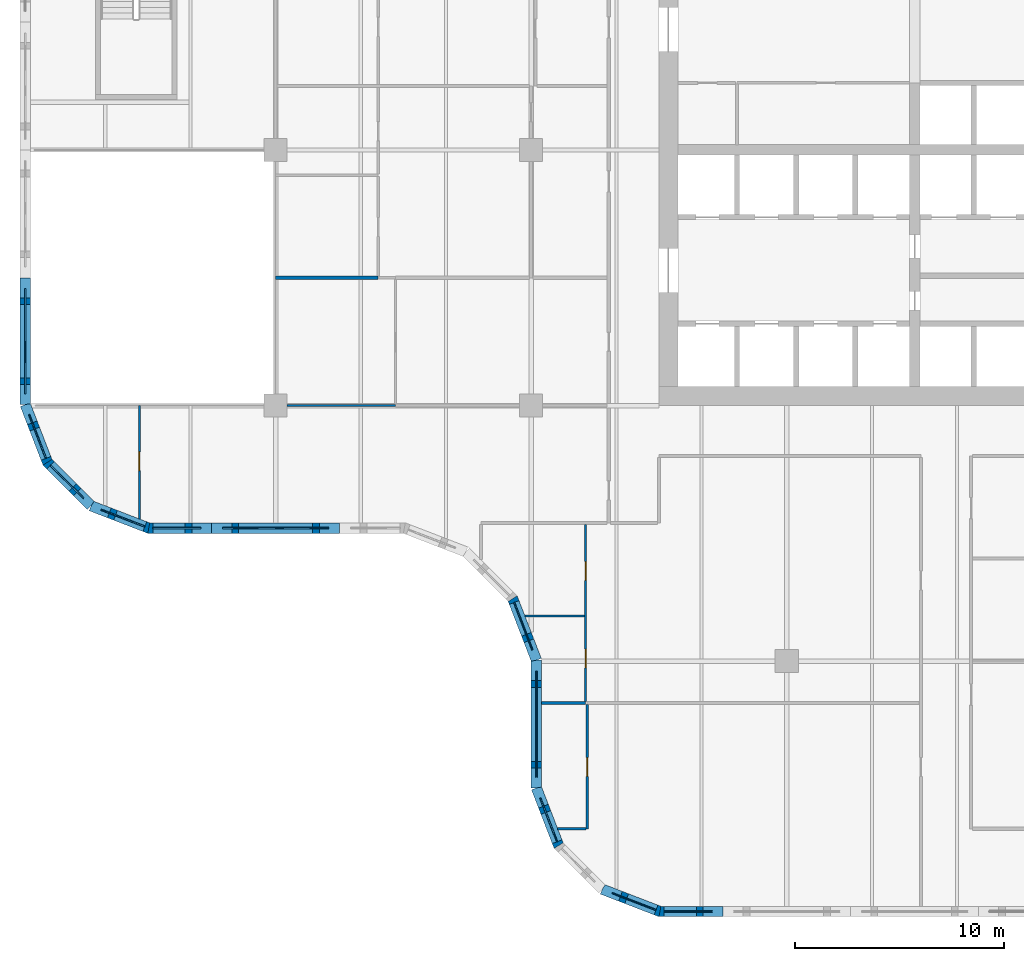
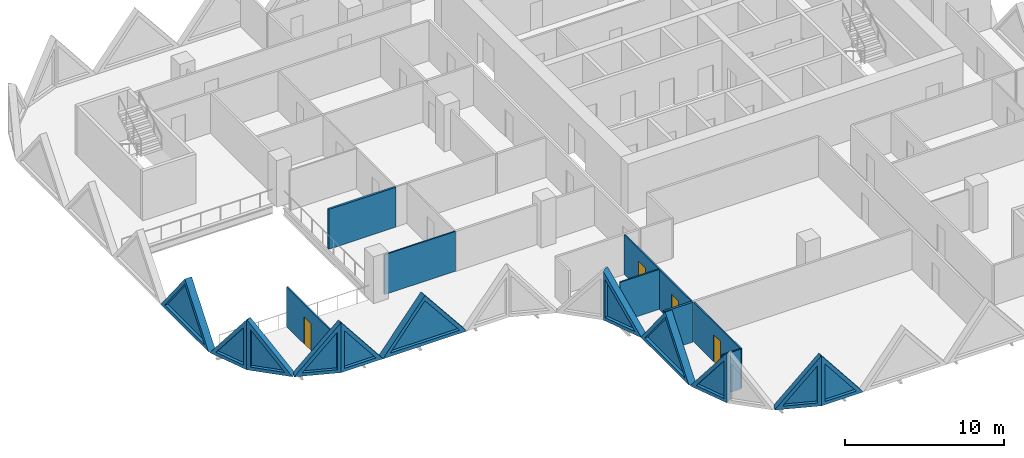
# One storey, part 4 of 19: 19 walls, 11 plates, 4 doors, 15 openings.
"""IFC4 building model written with IfcOpenShell, lengths in metres."""

from ifc_helpers import new_model, si_unit, direction, frame, frame_2d, origin, place, context, subcontext, project, spatial, polyline, rectangle, outline, extrude, faceted_brep, source, transform, mapped, material, layer, layer_set, type_object, element, fill, save


model = new_model("IFC4")

# Units and contexts
model_context = context("Model", 3, precision=1e-05, world=origin(), true_north=direction((0.0, 1.0)))
body_context = subcontext(model_context, "Body", "Model", "MODEL_VIEW")
ifc_project = project(units=[si_unit("LENGTHUNIT", "METRE"), si_unit("AREAUNIT", "SQUARE_METRE"), si_unit("VOLUMEUNIT", "CUBIC_METRE"), si_unit("PLANEANGLEUNIT", "RADIAN"), si_unit("MASSUNIT", "GRAM", prefix="KILO")], contexts=[model_context])

# Site, building, storey
site_placement = place(None, origin())
site = spatial("IfcSite", under=ifc_project, at=site_placement, CompositionType="ELEMENT")
building_placement = place(site_placement, origin())
building = spatial("IfcBuilding", under=site, at=building_placement, Name="Tessera Gate Towers", CompositionType="ELEMENT")
storey_placement = place(building_placement, frame((0.0, 0.0, 25.800048828125)))
storey = spatial("IfcBuildingStorey", under=building, at=storey_placement, Name="L05", CompositionType="ELEMENT", Elevation=25.800048828125)

# Wall, opening, door
ifc_material_1 = material(Name="Glass", Category="glass")
ifc_layer_1 = layer(ifc_material_1, 0.10009765625)
ifc_layer_set_1 = layer_set([ifc_layer_1], Name="GLAZED PARTITION 100")
wall_type_1 = type_object("IfcWallType", Name="GLAZED PARTITION 100", PredefinedType="PARTITIONING", material=ifc_layer_set_1)
wall_1_placement = place(storey_placement, frame((5.699951171875, 18.990234375, 0.0), z_axis=(0.0, 0.0, 1.0), x_axis=(0.0, 1.0, 0.0)))
wall_1 = element("IfcWall", 1, at=wall_1_placement, inside=storey, type_object=wall_type_1, Name="T1-L05-PW-023", PredefinedType="PARTITIONING", context=body_context, shape_type="SweptSolid", body=[
    extrude(rectangle(XDim=5.40966796875, YDim=0.10009765625, at=frame_2d((2.704833984375, 0.0))), origin(), (0.0, 0.0, 1.0), 3.06689453125),
])
shared_shape_1 = source(origin(), body_context, "Body", "SweptSolid", [
    extrude(rectangle(XDim=0.89990234375, YDim=2.10009765625, at=frame_2d((0.449951171875, 1.050048828125))), frame((0.0, 0.06005859375, 0.0), z_axis=(0.0, -1.0, 0.0), x_axis=(1.0, 0.0, 0.0)), (0.0, 0.0, 1.0), 0.1201171875),
])
opening_1_placement = place(wall_1_placement, frame((2.300048828125, 0.0, 0.0)))
opening_1 = element("IfcOpeningElement", 2, at=opening_1_placement, cuts=wall_1, Name="Opening D690-A02-01", PredefinedType="OPENING", context=body_context, shape_type="MappedRepresentation", body=[
    mapped(shared_shape_1, transform((0.0, 0.0, 0.0), scale=1.0)),
])
ifc_material_2 = material(Name="Glass in aluminium frame", Category="aluminium")
door_type_1 = type_object("IfcDoorType", Name="GLAZED DOOR 900 NOT RATED", OperationType="NOTDEFINED", PredefinedType="DOOR", material=ifc_material_2)
shared_shape_2 = source(origin(), body_context, "Body", "SweptSolid", [
    extrude(rectangle(XDim=0.89990234375, YDim=2.10009765625, at=frame_2d((0.449951171875, 1.050048828125))), frame((0.0, 0.02490234375, 0.0), z_axis=(0.0, -1.0, 0.0), x_axis=(1.0, 0.0, 0.0)), (0.0, 0.0, 1.0), 0.050048828125),
])
door_1_placement = place(opening_1_placement, origin())
door_1 = element("IfcDoor", 3, at=door_1_placement, inside=storey, type_object=door_type_1, Name="T1-L05-PD-014", OperationType="SINGLE_SWING_LEFT", OverallHeight=2.10009765625, OverallWidth=0.89990234375, PredefinedType="DOOR", context=body_context, shape_type="MappedRepresentation", body=[
    mapped(shared_shape_2, transform((0.0, 0.0, 0.0), scale=1.0)),
])
fill(opening_1, door_1)

# Walls
wall_2_placement = place(storey_placement, frame((12.7509765625, 24.39990234375, 0.0), z_axis=(0.0, 0.0, 1.0), x_axis=(1.0, 0.0, 0.0)))
element("IfcWall", 4, at=wall_2_placement, inside=storey, type_object=wall_type_1, Name="T1-L05-PW-028", PredefinedType="PARTITIONING", context=body_context, shape_type="SweptSolid", body=[
    extrude(rectangle(XDim=5.173095703125, YDim=0.10009765625, at=frame_2d((2.58642578125, 0.0))), origin(), (0.0, 0.0, 1.0), 3.06689453125),
])
ifc_material_3 = material(Name="Gypsum board on steel studs", Category="steel")
ifc_layer_2 = layer(ifc_material_3, 0.10009765625)
ifc_layer_set_2 = layer_set([ifc_layer_2], Name="PARTITION 100")
wall_type_2 = type_object("IfcWallType", Name="PARTITION 100", PredefinedType="PARTITIONING", material=ifc_layer_set_2)
wall_3_placement = place(storey_placement, frame((25.668701171875, 4.199951171875, 0.0), z_axis=(0.0, 0.0, 1.0), x_axis=(1.0, 0.0, 0.0)))
element("IfcWall", 5, at=wall_3_placement, inside=storey, type_object=wall_type_2, Name="T1-L05-PW-003", PredefinedType="PARTITIONING", context=body_context, shape_type="SweptSolid", body=[
    extrude(rectangle(XDim=1.355224609375, YDim=0.10009765625, at=frame_2d((0.677734375, 0.0))), origin(), (0.0, 0.0, 1.0), 3.06689453125),
])

# Wall, opening, door
wall_4_placement = place(storey_placement, frame((27.074951171875, 4.199951171875, 0.0), z_axis=(0.0, 0.0, 1.0), x_axis=(0.0, 1.0, 0.0)))
wall_4 = element("IfcWall", 6, at=wall_4_placement, inside=storey, type_object=wall_type_2, Name="T1-L05-PW-004", PredefinedType="PARTITIONING", context=body_context, shape_type="SweptSolid", body=[
    extrude(rectangle(XDim=5.924072265625, YDim=0.10009765625, at=frame_2d((2.9619140625, 0.0))), origin(), (0.0, 0.0, 1.0), 3.06689453125),
])
opening_2_placement = place(wall_4_placement, frame((2.5, 0.0, 0.0)))
opening_2 = element("IfcOpeningElement", 7, at=opening_2_placement, cuts=wall_4, Name="Opening D190-A02-13", PredefinedType="OPENING", context=body_context, shape_type="MappedRepresentation", body=[
    mapped(shared_shape_1, transform((0.0, 0.0, 0.0), scale=1.0)),
])
ifc_material_4 = material(Name="Timber door leaf in steel frame", Category="steel")
door_type_2 = type_object("IfcDoorType", Name="INTERNAL DOOR 900 NOT RATED", OperationType="NOTDEFINED", PredefinedType="DOOR", material=ifc_material_4)
door_2_placement = place(opening_2_placement, origin())
door_2 = element("IfcDoor", 8, at=door_2_placement, inside=storey, type_object=door_type_2, Name="T1-L05-PD-022", OperationType="SINGLE_SWING_LEFT", OverallHeight=2.10009765625, OverallWidth=0.89990234375, PredefinedType="DOOR", context=body_context, shape_type="MappedRepresentation", body=[
    mapped(shared_shape_2, transform((0.0, 0.0, 0.0), scale=1.0)),
])
fill(opening_2, door_2)

# Wall, openings, doors
wall_5_placement = place(storey_placement, frame((27.0, 10.27587890625, 0.0), z_axis=(0.0, 0.0, 1.0), x_axis=(0.0, 1.0, 0.0)))
wall_5 = element("IfcWall", 9, at=wall_5_placement, inside=storey, type_object=wall_type_2, Name="T1-L05-PW-010", PredefinedType="PARTITIONING", context=body_context, shape_type="SweptSolid", body=[
    extrude(rectangle(XDim=8.4482421875, YDim=0.10009765625, at=frame_2d((4.22412109375, 0.0))), origin(), (0.0, 0.0, 1.0), 3.06689453125),
])
opening_3_placement = place(wall_5_placement, frame((1.60009765625, 0.0, 0.0)))
opening_3 = element("IfcOpeningElement", 10, at=opening_3_placement, cuts=wall_5, Name="Opening D190-A02-02", PredefinedType="OPENING", context=body_context, shape_type="MappedRepresentation", body=[
    mapped(shared_shape_1, transform((0.0, 0.0, 0.0), scale=1.0)),
])
opening_4_placement = place(wall_5_placement, frame((5.778564453125, 0.0, 0.0)))
opening_4 = element("IfcOpeningElement", 11, at=opening_4_placement, cuts=wall_5, Name="Opening D190-A02-06", PredefinedType="OPENING", context=body_context, shape_type="MappedRepresentation", body=[
    mapped(shared_shape_1, transform((0.0, 0.0, 0.0), scale=1.0)),
])
door_3_placement = place(opening_3_placement, origin())
door_3 = element("IfcDoor", 12, at=door_3_placement, inside=storey, type_object=door_type_2, Name="T1-L05-PD-003", OperationType="SINGLE_SWING_LEFT", OverallHeight=2.10009765625, OverallWidth=0.89990234375, PredefinedType="DOOR", context=body_context, shape_type="MappedRepresentation", body=[
    mapped(shared_shape_2, transform((0.0, 0.0, 0.0), scale=1.0)),
])
fill(opening_3, door_3)
door_4_placement = place(opening_4_placement, origin())
door_4 = element("IfcDoor", 13, at=door_4_placement, inside=storey, type_object=door_type_2, Name="T1-L05-PD-007", OperationType="SINGLE_SWING_LEFT", OverallHeight=2.10009765625, OverallWidth=0.89990234375, PredefinedType="DOOR", context=body_context, shape_type="MappedRepresentation", body=[
    mapped(shared_shape_2, transform((0.0, 0.0, 0.0), scale=1.0)),
])
fill(opening_4, door_4)

# Walls
wall_6_placement = place(storey_placement, frame((24.104736328125, 14.35498046875, 0.0), z_axis=(0.0, 0.0, 1.0), x_axis=(1.0, 0.0, 0.0)))
element("IfcWall", 14, at=wall_6_placement, inside=storey, type_object=wall_type_2, Name="T1-L05-PW-013", PredefinedType="PARTITIONING", context=body_context, shape_type="SweptSolid", body=[
    extrude(rectangle(XDim=2.84423828125, YDim=0.10009765625, at=frame_2d((1.422119140625, 0.0))), origin(), (0.0, 0.0, 1.0), 3.06689453125),
])
ifc_material_5 = material(Name="Gypsum board on steel studs, mineral wool", Category="steel")
ifc_layer_3 = layer(ifc_material_5, 0.14990234375)
ifc_layer_set_3 = layer_set([ifc_layer_3], Name="TENANCY WALL 150")
wall_type_3 = type_object("IfcWallType", Name="TENANCY WALL 150", PredefinedType="PARTITIONING", material=ifc_layer_set_3)
wall_7_placement = place(storey_placement, frame((24.89990234375, 10.199951171875, 0.0), z_axis=(0.0, 0.0, 1.0), x_axis=(1.0, 0.0, 0.0)))
element("IfcWall", 15, at=wall_7_placement, inside=storey, type_object=wall_type_3, Name="T1-L05-PW-008", PredefinedType="PARTITIONING", context=body_context, shape_type="SweptSolid", body=[
    extrude(rectangle(XDim=2.10009765625, YDim=0.14990234375, at=frame_2d((1.050048828125, 0.0))), origin(), (0.0, 0.0, 1.0), 3.06689453125),
])
wall_8_placement = place(storey_placement, frame((12.199951171875, 30.5, 0.0), z_axis=(0.0, 0.0, 1.0), x_axis=(1.0, 0.0, 0.0)))
element("IfcWall", 16, at=wall_8_placement, inside=storey, type_object=wall_type_3, Name="T1-L05-PW-032", PredefinedType="PARTITIONING", context=body_context, shape_type="SweptSolid", body=[
    extrude(rectangle(XDim=4.900146484375, YDim=0.14990234375, at=frame_2d((2.4501953125, 0.0))), origin(), (0.0, 0.0, 1.0), 3.06689453125),
])

# Wall, opening, plate
ifc_material_6 = material(Name="Precast concrete C60/75 white", Category="concrete")
ifc_layer_4 = layer(ifc_material_6, 0.5)
ifc_layer_set_4 = layer_set([ifc_layer_4], Name="TS3 corner tessera")
wall_type_4 = type_object("IfcWallType", Name="TS3 corner tessera", PredefinedType="SOLIDWALL", material=ifc_layer_set_4)
shared_shape_3 = source(origin(), body_context, "Body", "Brep", [
    faceted_brep([(3.050048828125, -0.25, 0.0), (0.046630859375, -0.25, 3.800048828125), (0.0, -0.25, 3.739990234375), (0.0, -0.25, 0.0), (0.09326171875, 0.25, 3.7412109375), (3.050048828125, 0.25, 0.0), (0.09326171875, 0.25, 0.0), (0.046630859375, 0.0, 3.800048828125)], [[[0, 1, 2, 3]], [[4, 5, 6]], [[5, 4, 7, 1, 0]], [[2, 1, 7]], [[6, 5, 0, 3]], [[6, 3, 2, 7, 4]]]),
])
wall_9_placement = place(storey_placement, frame((30.5, 0.25, 0.0), z_axis=(0.0, 0.0, 1.0), x_axis=(1.0, 0.0, 0.0)))
wall_9 = element("IfcWall", 17, at=wall_9_placement, inside=storey, type_object=wall_type_4, Name="Precast corner tessera T1 TS3-0073", PredefinedType="SOLIDWALL", context=body_context, shape_type="MappedRepresentation", body=[
    mapped(shared_shape_3, transform((0.0, 0.0, 0.0), scale=1.0)),
])
shared_shape_4 = source(origin(), body_context, "Body", "SweptSolid", [
    extrude(outline(polyline([(2.533935546875, 0.25), (0.24658203125, 3.143798828125), (0.24658203125, 0.25), (2.533935546875, 0.25)])), frame((0.0, 0.260009765625, 0.0), z_axis=(0.0, -1.0, 0.0), x_axis=(1.0, 0.0, 0.0)), (0.0, 0.0, 1.0), 0.52001953125),
])
opening_5_placement = place(wall_9_placement, origin())
opening_5 = element("IfcOpeningElement", 18, at=opening_5_placement, cuts=wall_9, Name="Opening T1-PL1-0094", PredefinedType="OPENING", context=body_context, shape_type="MappedRepresentation", body=[
    mapped(shared_shape_4, transform((0.0, 0.0, 0.0), scale=1.0)),
])
ifc_material_7 = material(Name="Low-e laminated glass", Category="glass")
ifc_layer_5 = layer(ifc_material_7, 0.06005859375)
ifc_layer_set_5 = layer_set([ifc_layer_5], Name="PL1 triangular pane")
plate_type = type_object("IfcPlateType", Name="PL1 triangular pane", PredefinedType="SHEET", material=ifc_layer_set_5)
shared_shape_5 = source(origin(), body_context, "Body", "SweptSolid", [
    extrude(outline(polyline([(2.533935546875, 0.25), (0.24658203125, 3.143798828125), (0.24658203125, 0.25), (2.533935546875, 0.25)])), frame((0.0, 0.030029296875, 0.0), z_axis=(0.0, -1.0, 0.0), x_axis=(1.0, 0.0, 0.0)), (0.0, 0.0, 1.0), 0.06005859375),
])
plate_1_placement = place(opening_5_placement, origin())
plate_1 = element("IfcPlate", 19, at=plate_1_placement, inside=storey, type_object=plate_type, Name="Glass pane T1 PL1-0094", PredefinedType="SHEET", context=body_context, shape_type="MappedRepresentation", body=[
    mapped(shared_shape_5, transform((0.0, 0.0, 0.0), scale=1.0)),
])
fill(opening_5, plate_1)

wall_10_placement = place(storey_placement, frame((6.099853515625, 18.550048828125, 0.0), z_axis=(0.0, 0.0, 1.0), x_axis=(1.0, 0.0, 0.0)))
wall_10 = element("IfcWall", 20, at=wall_10_placement, inside=storey, type_object=wall_type_4, Name="Precast corner tessera T1 TS3-0090", PredefinedType="SOLIDWALL", context=body_context, shape_type="MappedRepresentation", body=[
    mapped(shared_shape_3, transform((0.0, 0.0, 0.0), scale=1.0)),
])
opening_6_placement = place(wall_10_placement, origin())
opening_6 = element("IfcOpeningElement", 21, at=opening_6_placement, cuts=wall_10, Name="Opening T1-PL1-0132", PredefinedType="OPENING", context=body_context, shape_type="MappedRepresentation", body=[
    mapped(shared_shape_4, transform((0.0, 0.0, 0.0), scale=1.0)),
])
plate_2_placement = place(opening_6_placement, origin())
plate_2 = element("IfcPlate", 22, at=plate_2_placement, inside=storey, type_object=plate_type, Name="Glass pane T1 PL1-0132", PredefinedType="SHEET", context=body_context, shape_type="MappedRepresentation", body=[
    mapped(shared_shape_5, transform((0.0, 0.0, 0.0), scale=1.0)),
])
fill(opening_6, plate_2)

shared_shape_6 = source(origin(), body_context, "Body", "Brep", [
    faceted_brep([(2.9970703125, -0.25, 3.740966796875), (2.950439453125, -0.25, 3.800048828125), (0.0, -0.25, 0.0), (2.9970703125, -0.25, 0.0), (0.052978515625, 0.25, 0.068115234375), (2.904052734375, 0.25, 3.740234375), (2.904052734375, 0.25, 0.0), (0.052978515625, 0.25, 0.0), (2.950439453125, 0.00048828125, 3.800048828125), (0.0, 0.0, 0.0)], [[[0, 1, 2, 3]], [[4, 5, 6, 7]], [[8, 1, 0]], [[5, 4, 9, 2, 1, 8]], [[7, 6, 3, 2, 9]], [[7, 9, 4]], [[3, 6, 5, 8, 0]]]),
])
wall_11_placement = place(storey_placement, frame((27.793701171875, 1.31201171875, 0.0), z_axis=(0.0, 0.0, 1.0), x_axis=(0.932973525033, -0.359944998003, 0.0)))
wall_11 = element("IfcWall", 23, at=wall_11_placement, inside=storey, type_object=wall_type_4, Name="Precast corner tessera T1 TS3-0074", PredefinedType="SOLIDWALL", context=body_context, shape_type="MappedRepresentation", body=[
    mapped(shared_shape_6, transform((0.0, 0.0, 0.0), scale=1.0)),
])
shared_shape_7 = source(origin(), body_context, "Body", "SweptSolid", [
    extrude(outline(polyline([(2.75048828125, 3.134765625), (0.5107421875, 0.25), (2.75048828125, 0.25), (2.75048828125, 3.134765625)])), frame((0.0, 0.260009765625, 0.0), z_axis=(0.0, -1.0, 0.0), x_axis=(1.0, 0.0, 0.0)), (0.0, 0.0, 1.0), 0.52001953125),
])
opening_7_placement = place(wall_11_placement, origin())
opening_7 = element("IfcOpeningElement", 24, at=opening_7_placement, cuts=wall_11, Name="Opening T1-PL1-0095", PredefinedType="OPENING", context=body_context, shape_type="MappedRepresentation", body=[
    mapped(shared_shape_7, transform((0.0, 0.0, 0.0), scale=1.0)),
])
shared_shape_8 = source(origin(), body_context, "Body", "SweptSolid", [
    extrude(outline(polyline([(2.75048828125, 3.134765625), (0.5107421875, 0.25), (2.75048828125, 0.25), (2.75048828125, 3.134765625)])), frame((0.0, 0.030029296875, 0.0), z_axis=(0.0, -1.0, 0.0), x_axis=(1.0, 0.0, 0.0)), (0.0, 0.0, 1.0), 0.06005859375),
])
plate_3_placement = place(opening_7_placement, origin())
plate_3 = element("IfcPlate", 25, at=plate_3_placement, inside=storey, type_object=plate_type, Name="Glass pane T1 PL1-0095", PredefinedType="SHEET", context=body_context, shape_type="MappedRepresentation", body=[
    mapped(shared_shape_8, transform((0.0, 0.0, 0.0), scale=1.0)),
])
fill(opening_7, plate_3)

ifc_material_8 = material(Name="Precast concrete C60/75 white", Category="concrete")
ifc_layer_6 = layer(ifc_material_8, 0.5)
ifc_layer_set_6 = layer_set([ifc_layer_6], Name="TS2 half tessera")
wall_type_5 = type_object("IfcWallType", Name="TS2 half tessera", PredefinedType="SOLIDWALL", material=ifc_layer_set_6)
shared_shape_9 = source(origin(), body_context, "Body", "SweptSolid", [
    extrude(outline(polyline([(6.10009765625, 0.0), (3.050048828125, 3.800048828125), (0.0, 0.0), (6.10009765625, 0.0)])), frame((0.0, 0.25, 0.0), z_axis=(0.0, -1.0, 0.0), x_axis=(1.0, 0.0, 0.0)), (0.0, 0.0, 1.0), 0.5),
])
wall_12_placement = place(storey_placement, frame((9.14990234375, 18.550048828125, 0.0), z_axis=(0.0, 0.0, 1.0), x_axis=(1.0, 0.0, 0.0)))
wall_12 = element("IfcWall", 26, at=wall_12_placement, inside=storey, type_object=wall_type_5, Name="Precast half tessera T1 TS2-0067", PredefinedType="SOLIDWALL", context=body_context, shape_type="MappedRepresentation", body=[
    mapped(shared_shape_9, transform((0.0, 0.0, 0.0), scale=1.0)),
])
shared_shape_10 = source(origin(), body_context, "Body", "SweptSolid", [
    extrude(outline(polyline([(5.578857421875, 0.25), (3.050048828125, 3.400634765625), (0.521240234375, 0.25), (5.578857421875, 0.25)])), frame((0.0, 0.260009765625, 0.0), z_axis=(0.0, -1.0, 0.0), x_axis=(1.0, 0.0, 0.0)), (0.0, 0.0, 1.0), 0.52001953125),
])
opening_8_placement = place(wall_12_placement, origin())
opening_8 = element("IfcOpeningElement", 27, at=opening_8_placement, cuts=wall_12, Name="Opening T1-PL1-0133", PredefinedType="OPENING", context=body_context, shape_type="MappedRepresentation", body=[
    mapped(shared_shape_10, transform((0.0, 0.0, 0.0), scale=1.0)),
])
shared_shape_11 = source(origin(), body_context, "Body", "SweptSolid", [
    extrude(outline(polyline([(5.578857421875, 0.25), (3.050048828125, 3.400634765625), (0.521240234375, 0.25), (5.578857421875, 0.25)])), frame((0.0, 0.030029296875, 0.0), z_axis=(0.0, -1.0, 0.0), x_axis=(1.0, 0.0, 0.0)), (0.0, 0.0, 1.0), 0.06005859375),
])
plate_4_placement = place(opening_8_placement, origin())
plate_4 = element("IfcPlate", 28, at=plate_4_placement, inside=storey, type_object=plate_type, Name="Glass pane T1 PL1-0133", PredefinedType="SHEET", context=body_context, shape_type="MappedRepresentation", body=[
    mapped(shared_shape_11, transform((0.0, 0.0, 0.0), scale=1.0)),
])
fill(opening_8, plate_4)

shared_shape_12 = source(origin(), body_context, "Body", "Brep", [
    faceted_brep([(6.053466796875, -0.25, 0.0), (3.050048828125, -0.25, 3.800048828125), (0.0, -0.25, 0.0), (0.0, 0.25, 0.0), (3.050048828125, 0.25, 3.800048828125), (6.0068359375, 0.25, 0.058837890625), (6.0068359375, 0.25, 0.0), (6.053466796875, 0.0, 0.0)], [[[0, 1, 2]], [[3, 4, 5, 6]], [[5, 4, 1, 0, 7]], [[4, 3, 2, 1]], [[3, 6, 7, 0, 2]], [[7, 6, 5]]]),
])
wall_13_placement = place(storey_placement, frame((0.25, 30.5, 0.0), z_axis=(0.0, 0.0, 1.0), x_axis=(0.0, -1.0, 0.0)))
wall_13 = element("IfcWall", 29, at=wall_13_placement, inside=storey, type_object=wall_type_5, Name="Precast half tessera T1 TS2-0066", PredefinedType="SOLIDWALL", context=body_context, shape_type="MappedRepresentation", body=[
    mapped(shared_shape_12, transform((0.0, 0.0, 0.0), scale=1.0)),
])
shared_shape_13 = source(origin(), body_context, "Body", "SweptSolid", [
    extrude(outline(polyline([(5.537109375, 0.25), (3.048583984375, 3.398681640625), (0.521240234375, 0.25), (5.537109375, 0.25)])), frame((0.0, 0.260009765625, 0.0), z_axis=(0.0, -1.0, 0.0), x_axis=(1.0, 0.0, 0.0)), (0.0, 0.0, 1.0), 0.52001953125),
])
opening_9_placement = place(wall_13_placement, origin())
opening_9 = element("IfcOpeningElement", 30, at=opening_9_placement, cuts=wall_13, Name="Opening T1-PL1-0128", PredefinedType="OPENING", context=body_context, shape_type="MappedRepresentation", body=[
    mapped(shared_shape_13, transform((0.0, 0.0, 0.0), scale=1.0)),
])
shared_shape_14 = source(origin(), body_context, "Body", "SweptSolid", [
    extrude(outline(polyline([(5.537109375, 0.25), (3.048583984375, 3.398681640625), (0.521240234375, 0.25), (5.537109375, 0.25)])), frame((0.0, 0.030029296875, 0.0), z_axis=(0.0, -1.0, 0.0), x_axis=(1.0, 0.0, 0.0)), (0.0, 0.0, 1.0), 0.06005859375),
])
plate_5_placement = place(opening_9_placement, origin())
plate_5 = element("IfcPlate", 31, at=plate_5_placement, inside=storey, type_object=plate_type, Name="Glass pane T1 PL1-0128", PredefinedType="SHEET", context=body_context, shape_type="MappedRepresentation", body=[
    mapped(shared_shape_14, transform((0.0, 0.0, 0.0), scale=1.0)),
])
fill(opening_9, plate_5)

shared_shape_15 = source(origin(), body_context, "Body", "Brep", [
    faceted_brep([(3.00341796875, -0.25, 3.731689453125), (2.950439453125, -0.25, 3.800048828125), (0.0, -0.25, 0.0), (3.00341796875, -0.25, 0.0), (0.046630859375, 0.25, 0.06005859375), (2.897705078125, 0.25, 3.73193359375), (2.897705078125, 0.25, 0.0), (0.046630859375, 0.25, 0.0), (2.950439453125, 0.00048828125, 3.800048828125), (0.0, 0.0, 0.0)], [[[0, 1, 2, 3]], [[4, 5, 6, 7]], [[8, 1, 0]], [[5, 4, 9, 2, 1, 8]], [[7, 6, 3, 2, 9]], [[7, 9, 4]], [[3, 6, 5, 8, 0]]]),
])
wall_14_placement = place(storey_placement, frame((0.25, 24.446533203125, 0.0), z_axis=(0.0, 0.0, 1.0), x_axis=(0.35992665181, -0.932980602862, 0.0)))
wall_14 = element("IfcWall", 32, at=wall_14_placement, inside=storey, type_object=wall_type_4, Name="Precast corner tessera T1 TS3-0087", PredefinedType="SOLIDWALL", context=body_context, shape_type="MappedRepresentation", body=[
    mapped(shared_shape_15, transform((0.0, 0.0, 0.0), scale=1.0)),
])
opening_10_placement = place(wall_14_placement, origin())
opening_10 = element("IfcOpeningElement", 33, at=opening_10_placement, cuts=wall_14, Name="Opening T1-PL1-0129", PredefinedType="OPENING", context=body_context, shape_type="MappedRepresentation", body=[
    mapped(shared_shape_7, transform((0.0, 0.0, 0.0), scale=1.0)),
])
plate_6_placement = place(opening_10_placement, origin())
plate_6 = element("IfcPlate", 34, at=plate_6_placement, inside=storey, type_object=plate_type, Name="Glass pane T1 PL1-0129", PredefinedType="SHEET", context=body_context, shape_type="MappedRepresentation", body=[
    mapped(shared_shape_8, transform((0.0, 0.0, 0.0), scale=1.0)),
])
fill(opening_10, plate_6)

shared_shape_16 = source(origin(), body_context, "Body", "Brep", [
    faceted_brep([(2.9970703125, -0.25, 3.740966796875), (2.950439453125, -0.25, 3.800048828125), (0.0, -0.25, 0.0), (2.9970703125, -0.25, 0.0), (0.052978515625, 0.25, 0.068115234375), (2.904052734375, 0.25, 3.740234375), (2.904052734375, 0.25, 0.0), (0.052978515625, 0.25, 0.0), (2.950439453125, 0.00048828125, 3.800048828125), (0.0, 0.0, 0.0)], [[[0, 1, 2, 3]], [[4, 5, 6, 7]], [[8, 1, 0]], [[5, 4, 9, 2, 1, 8]], [[7, 6, 3, 2, 9]], [[7, 9, 4]], [[3, 6, 5, 8, 0]]]),
])
wall_15_placement = place(storey_placement, frame((3.393798828125, 19.61181640625, 0.0), z_axis=(0.0, 0.0, 1.0), x_axis=(0.932990326376, -0.359901446078, 0.0)))
wall_15 = element("IfcWall", 35, at=wall_15_placement, inside=storey, type_object=wall_type_4, Name="Precast corner tessera T1 TS3-0089", PredefinedType="SOLIDWALL", context=body_context, shape_type="MappedRepresentation", body=[
    mapped(shared_shape_16, transform((0.0, 0.0, 0.0), scale=1.0)),
])
opening_11_placement = place(wall_15_placement, origin())
opening_11 = element("IfcOpeningElement", 36, at=opening_11_placement, cuts=wall_15, Name="Opening T1-PL1-0131", PredefinedType="OPENING", context=body_context, shape_type="MappedRepresentation", body=[
    mapped(shared_shape_7, transform((0.0, 0.0, 0.0), scale=1.0)),
])
plate_7_placement = place(opening_11_placement, origin())
plate_7 = element("IfcPlate", 37, at=plate_7_placement, inside=storey, type_object=plate_type, Name="Glass pane T1 PL1-0131", PredefinedType="SHEET", context=body_context, shape_type="MappedRepresentation", body=[
    mapped(shared_shape_8, transform((0.0, 0.0, 0.0), scale=1.0)),
])
fill(opening_11, plate_7)

shared_shape_17 = source(origin(), body_context, "Body", "Brep", [
    faceted_brep([(2.9970703125, -0.25, 0.0), (0.052978515625, -0.25, 3.800048828125), (0.0, -0.25, 3.73193359375), (0.0, -0.25, 0.0), (0.10595703125, 0.25, 3.731689453125), (2.944091796875, 0.25, 0.068115234375), (2.944091796875, 0.25, 0.0), (0.10595703125, 0.25, 0.0), (0.052978515625, 0.0, 3.800048828125), (2.9970703125, 0.000244140625, 0.0)], [[[0, 1, 2, 3]], [[4, 5, 6, 7]], [[5, 4, 8, 1, 0, 9]], [[2, 1, 8]], [[7, 6, 9, 0, 3]], [[7, 3, 2, 8, 4]], [[9, 6, 5]]]),
])
wall_16_placement = place(storey_placement, frame((1.2744140625, 21.731201171875, 0.0), z_axis=(0.0, 0.0, 1.0), x_axis=(0.707147509625, -0.707066050402, 0.0)))
wall_16 = element("IfcWall", 38, at=wall_16_placement, inside=storey, type_object=wall_type_4, Name="Precast corner tessera T1 TS3-0088", PredefinedType="SOLIDWALL", context=body_context, shape_type="MappedRepresentation", body=[
    mapped(shared_shape_17, transform((0.0, 0.0, 0.0), scale=1.0)),
])
shared_shape_18 = source(origin(), body_context, "Body", "SweptSolid", [
    extrude(outline(polyline([(2.487060546875, 0.25), (0.2529296875, 3.133544921875), (0.2529296875, 0.25), (2.487060546875, 0.25)])), frame((0.0, 0.260009765625, 0.0), z_axis=(0.0, -1.0, 0.0), x_axis=(1.0, 0.0, 0.0)), (0.0, 0.0, 1.0), 0.52001953125),
])
opening_12_placement = place(wall_16_placement, origin())
opening_12 = element("IfcOpeningElement", 39, at=opening_12_placement, cuts=wall_16, Name="Opening T1-PL1-0130", PredefinedType="OPENING", context=body_context, shape_type="MappedRepresentation", body=[
    mapped(shared_shape_18, transform((0.0, 0.0, 0.0), scale=1.0)),
])
shared_shape_19 = source(origin(), body_context, "Body", "SweptSolid", [
    extrude(outline(polyline([(2.487060546875, 0.25), (0.2529296875, 3.133544921875), (0.2529296875, 0.25), (2.487060546875, 0.25)])), frame((0.0, 0.030029296875, 0.0), z_axis=(0.0, -1.0, 0.0), x_axis=(1.0, 0.0, 0.0)), (0.0, 0.0, 1.0), 0.06005859375),
])
plate_8_placement = place(opening_12_placement, origin())
plate_8 = element("IfcPlate", 40, at=plate_8_placement, inside=storey, type_object=plate_type, Name="Glass pane T1 PL1-0130", PredefinedType="SHEET", context=body_context, shape_type="MappedRepresentation", body=[
    mapped(shared_shape_19, transform((0.0, 0.0, 0.0), scale=1.0)),
])
fill(opening_12, plate_8)

shared_shape_20 = source(origin(), body_context, "Body", "Brep", [
    faceted_brep([(3.156005859375, -0.25, 0.05615234375), (0.10595703125, -0.25, 3.736083984375), (0.10595703125, -0.25, 0.0), (3.156005859375, -0.25, 0.0), (0.0, 0.25, 3.736328125), (0.052978515625, 0.25, 3.800048828125), (3.202392578125, 0.25, 0.0), (0.0, 0.25, 0.0), (0.052978515625, 0.0, 3.800048828125), (3.202392578125, -0.000244140625, 0.0)], [[[0, 1, 2, 3]], [[4, 5, 6, 7]], [[6, 5, 8, 1, 0, 9]], [[5, 4, 8]], [[7, 6, 9, 3, 2]], [[7, 2, 1, 8, 4]], [[3, 9, 0]]]),
])
wall_17_placement = place(storey_placement, frame((23.497314453125, 15.234375, 0.0), z_axis=(0.0, 0.0, 1.0), x_axis=(0.359913782069, -0.932985567668, 0.0)))
wall_17 = element("IfcWall", 41, at=wall_17_placement, inside=storey, type_object=wall_type_4, Name="Precast corner tessera T1 TS3-0094", PredefinedType="SOLIDWALL", context=body_context, shape_type="MappedRepresentation", body=[
    mapped(shared_shape_20, transform((0.0, 0.0, 0.0), scale=1.0)),
])
shared_shape_21 = source(origin(), body_context, "Body", "SweptSolid", [
    extrude(outline(polyline([(2.670654296875, 0.25), (0.2529296875, 3.166748046875), (0.2529296875, 0.25), (2.670654296875, 0.25)])), frame((0.0, 0.260009765625, 0.0), z_axis=(0.0, -1.0, 0.0), x_axis=(1.0, 0.0, 0.0)), (0.0, 0.0, 1.0), 0.52001953125),
])
opening_13_placement = place(wall_17_placement, origin())
opening_13 = element("IfcOpeningElement", 42, at=opening_13_placement, cuts=wall_17, Name="Opening T1-PL1-0137", PredefinedType="OPENING", context=body_context, shape_type="MappedRepresentation", body=[
    mapped(shared_shape_21, transform((0.0, 0.0, 0.0), scale=1.0)),
])
shared_shape_22 = source(origin(), body_context, "Body", "SweptSolid", [
    extrude(outline(polyline([(2.670654296875, 0.25), (0.2529296875, 3.166748046875), (0.2529296875, 0.25), (2.670654296875, 0.25)])), frame((0.0, 0.030029296875, 0.0), z_axis=(0.0, -1.0, 0.0), x_axis=(1.0, 0.0, 0.0)), (0.0, 0.0, 1.0), 0.06005859375),
])
plate_9_placement = place(opening_13_placement, origin())
plate_9 = element("IfcPlate", 43, at=plate_9_placement, inside=storey, type_object=plate_type, Name="Glass pane T1 PL1-0137", PredefinedType="SHEET", context=body_context, shape_type="MappedRepresentation", body=[
    mapped(shared_shape_22, transform((0.0, 0.0, 0.0), scale=1.0)),
])
fill(opening_13, plate_9)

shared_shape_23 = source(origin(), body_context, "Body", "Brep", [
    faceted_brep([(6.10009765625, -0.25, 0.0), (3.096435546875, -0.25, 3.800048828125), (0.046630859375, -0.25, 0.05712890625), (0.046630859375, -0.25, 0.0), (0.0, 0.25, 0.0), (3.096435546875, 0.25, 3.800048828125), (6.053466796875, 0.25, 0.05908203125), (6.053466796875, 0.25, 0.0), (6.10009765625, -0.00048828125, 0.0), (0.0, 0.0, 0.0)], [[[0, 1, 2, 3]], [[4, 5, 6, 7]], [[6, 5, 1, 0, 8]], [[5, 4, 9, 2, 1]], [[4, 7, 8, 0, 3, 9]], [[9, 3, 2]], [[8, 7, 6]]]),
])
wall_18_placement = place(storey_placement, frame((24.64990234375, 12.24658203125, 0.0), z_axis=(0.0, 0.0, 1.0), x_axis=(0.0, -1.0, 0.0)))
wall_18 = element("IfcWall", 44, at=wall_18_placement, inside=storey, type_object=wall_type_5, Name="Precast half tessera T1 TS2-0068", PredefinedType="SOLIDWALL", context=body_context, shape_type="MappedRepresentation", body=[
    mapped(shared_shape_23, transform((0.0, 0.0, 0.0), scale=1.0)),
])
shared_shape_24 = source(origin(), body_context, "Body", "SweptSolid", [
    extrude(outline(polyline([(5.583740234375, 0.25), (3.093505859375, 3.400634765625), (0.526123046875, 0.25), (5.583740234375, 0.25)])), frame((0.0, 0.260009765625, 0.0), z_axis=(0.0, -1.0, 0.0), x_axis=(1.0, 0.0, 0.0)), (0.0, 0.0, 1.0), 0.52001953125),
])
opening_14_placement = place(wall_18_placement, origin())
opening_14 = element("IfcOpeningElement", 45, at=opening_14_placement, cuts=wall_18, Name="Opening T1-PL1-0138", PredefinedType="OPENING", context=body_context, shape_type="MappedRepresentation", body=[
    mapped(shared_shape_24, transform((0.0, 0.0, 0.0), scale=1.0)),
])
shared_shape_25 = source(origin(), body_context, "Body", "SweptSolid", [
    extrude(outline(polyline([(5.583740234375, 0.25), (3.093505859375, 3.400634765625), (0.526123046875, 0.25), (5.583740234375, 0.25)])), frame((0.0, 0.030029296875, 0.0), z_axis=(0.0, -1.0, 0.0), x_axis=(1.0, 0.0, 0.0)), (0.0, 0.0, 1.0), 0.06005859375),
])
plate_10_placement = place(opening_14_placement, origin())
plate_10 = element("IfcPlate", 46, at=plate_10_placement, inside=storey, type_object=plate_type, Name="Glass pane T1 PL1-0138", PredefinedType="SHEET", context=body_context, shape_type="MappedRepresentation", body=[
    mapped(shared_shape_25, transform((0.0, 0.0, 0.0), scale=1.0)),
])
fill(opening_14, plate_10)

shared_shape_26 = source(origin(), body_context, "Body", "Brep", [
    faceted_brep([(3.00341796875, -0.25, 3.731689453125), (2.950439453125, -0.25, 3.800048828125), (0.0, -0.25, 0.0), (3.00341796875, -0.25, 0.0), (0.046630859375, 0.25, 0.06005859375), (2.897705078125, 0.25, 3.73193359375), (2.897705078125, 0.25, 0.0), (0.046630859375, 0.25, 0.0), (2.950439453125, 0.00048828125, 3.800048828125), (0.0, 0.0, 0.0)], [[[0, 1, 2, 3]], [[4, 5, 6, 7]], [[8, 1, 0]], [[5, 4, 9, 2, 1, 8]], [[7, 6, 3, 2, 9]], [[7, 9, 4]], [[3, 6, 5, 8, 0]]]),
])
wall_19_placement = place(storey_placement, frame((24.64990234375, 6.146484375, 0.0), z_axis=(0.0, 0.0, 1.0), x_axis=(0.359953949349, -0.932970071518, 0.0)))
wall_19 = element("IfcWall", 47, at=wall_19_placement, inside=storey, type_object=wall_type_4, Name="Precast corner tessera T1 TS3-0095", PredefinedType="SOLIDWALL", context=body_context, shape_type="MappedRepresentation", body=[
    mapped(shared_shape_26, transform((0.0, 0.0, 0.0), scale=1.0)),
])
opening_15_placement = place(wall_19_placement, origin())
opening_15 = element("IfcOpeningElement", 48, at=opening_15_placement, cuts=wall_19, Name="Opening T1-PL1-0139", PredefinedType="OPENING", context=body_context, shape_type="MappedRepresentation", body=[
    mapped(shared_shape_7, transform((0.0, 0.0, 0.0), scale=1.0)),
])
plate_11_placement = place(opening_15_placement, origin())
plate_11 = element("IfcPlate", 49, at=plate_11_placement, inside=storey, type_object=plate_type, Name="Glass pane T1 PL1-0139", PredefinedType="SHEET", context=body_context, shape_type="MappedRepresentation", body=[
    mapped(shared_shape_8, transform((0.0, 0.0, 0.0), scale=1.0)),
])
fill(opening_15, plate_11)

save(model, "model.ifc")
